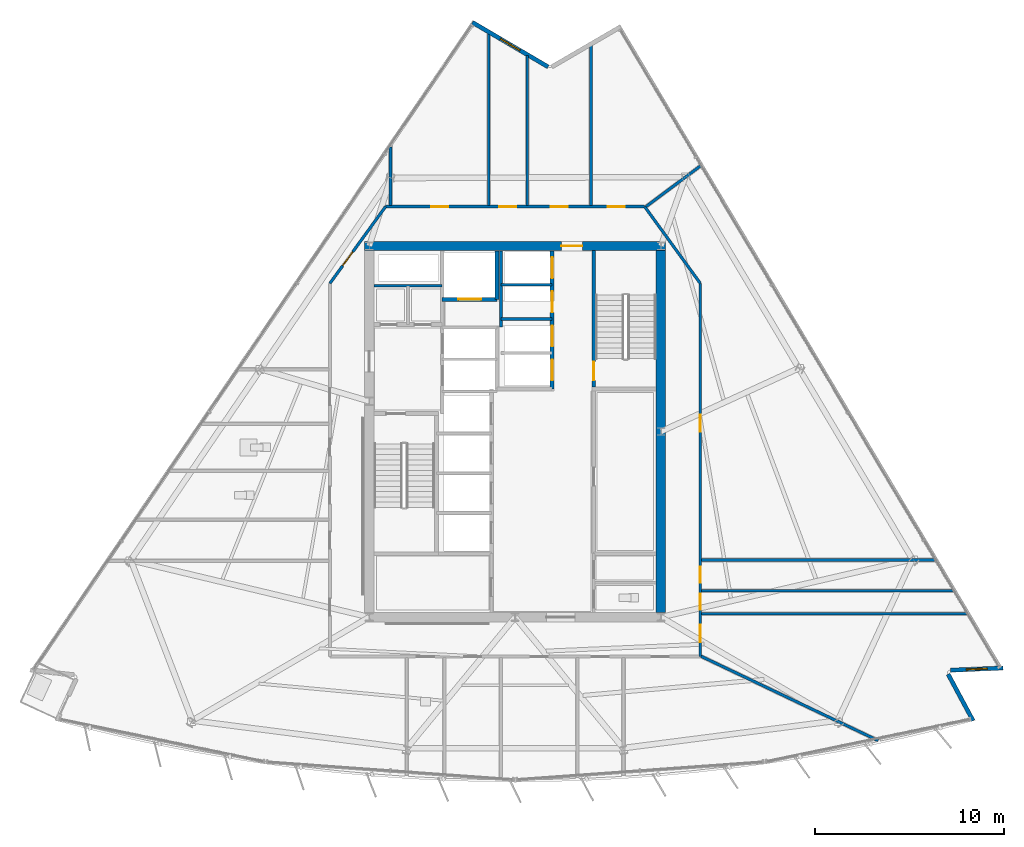
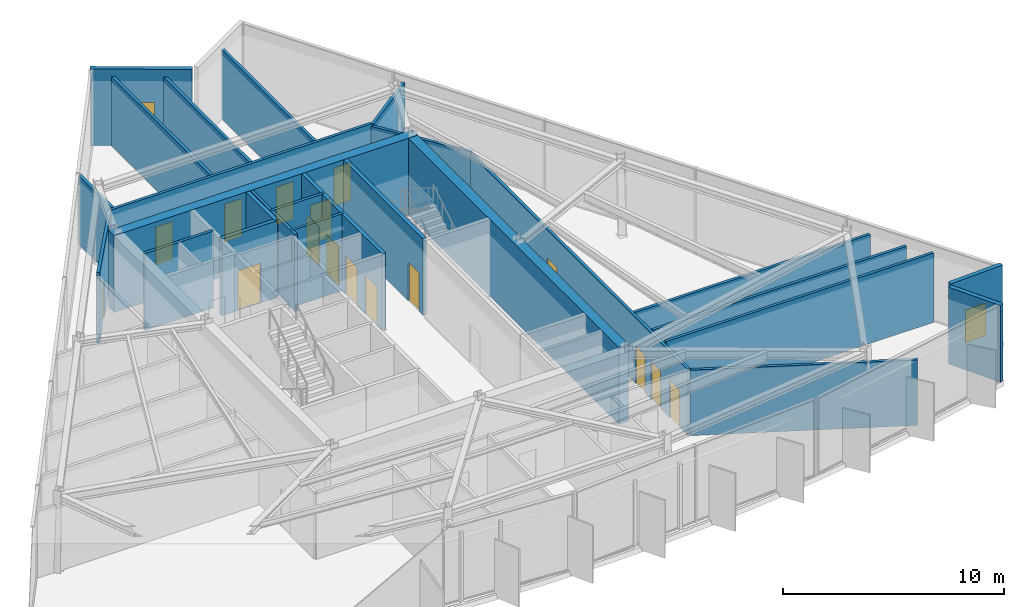
# One storey, part 8 of 13: 26 walls, 16 doors, 2 windows, 18 openings.
"""IFC4 building model written with IfcOpenShell, lengths in metres."""

from ifc_helpers import new_model, si_unit, direction, frame, frame_2d, origin, place, context, subcontext, project, spatial, rectangle, extrude, material, layer, layer_set, type_object, element, fill, save


model = new_model("IFC4")

# Units and contexts
model_context = context("Model", 3, precision=1e-05, world=origin(), true_north=direction((0.0, 1.0)))
body_context = subcontext(model_context, "Body", "Model", "MODEL_VIEW")
ifc_project = project(units=[si_unit("LENGTHUNIT", "METRE"), si_unit("AREAUNIT", "SQUARE_METRE"), si_unit("VOLUMEUNIT", "CUBIC_METRE"), si_unit("PLANEANGLEUNIT", "RADIAN"), si_unit("MASSUNIT", "GRAM", prefix="KILO")], contexts=[model_context])

# Site, building, storey
site_placement = place(None, origin())
site = spatial("IfcSite", under=ifc_project, at=site_placement, CompositionType="ELEMENT")
building_placement = place(site_placement, origin())
building = spatial("IfcBuilding", under=site, at=building_placement, Name="Savorim Split Tower", CompositionType="ELEMENT")
storey_placement = place(building_placement, frame((0.0, 0.0, 190.199951171875)))
storey = spatial("IfcBuildingStorey", under=building, at=storey_placement, Name="L50", CompositionType="ELEMENT", Elevation=190.199951171875)

# Wall, opening, door
ifc_material_1 = material(Name="Concrete C60/75", Category="concrete")
ifc_layer_1 = layer(ifc_material_1, 0.5)
ifc_layer_set_1 = layer_set([ifc_layer_1], Name="WAL-COR-SH500")
wall_type_1 = type_object("IfcWallType", Name="WAL-COR-SH500", PredefinedType="SHEAR", material=ifc_layer_set_1)
wall_1_placement = place(storey_placement, frame((7.949951171875, 10.199951171875, 0.0), z_axis=(0.0, 0.0, 1.0), x_axis=(-1.0, 0.0, 0.0)))
wall_1 = element("IfcWall", 1, at=wall_1_placement, inside=storey, type_object=wall_type_1, Name="L50 Offset Core North Shear Wall", PredefinedType="SHEAR", context=body_context, shape_type="SweptSolid", body=[
    extrude(rectangle(XDim=15.89990234375, YDim=0.5, at=frame_2d((7.949951171875, 0.0))), origin(), (0.0, 0.0, 1.0), 4.25),
])
opening_1_placement = place(wall_1_placement, frame((4.39990234375, 0.0, 0.0)))
opening_1 = element("IfcOpeningElement", 2, at=opening_1_placement, cuts=wall_1, Name="Opening DI-03", PredefinedType="OPENING", context=body_context, shape_type="SweptSolid", body=[
    extrude(rectangle(XDim=1.10009765625, YDim=2.14990234375, at=frame_2d((0.550048828125, 1.074951171875))), frame((0.0, 0.260009765625, 0.0), z_axis=(0.0, -1.0, 0.0), x_axis=(1.0, 0.0, 0.0)), (0.0, 0.0, 1.0), 0.52001953125),
])
ifc_material_2 = material(Name="Timber Fire Door Leaf", Category="wood")
door_type_1 = type_object("IfcDoorType", Name="DOR-FIR-1100", OperationType="NOTDEFINED", PredefinedType="DOOR", material=ifc_material_2)
door_1_placement = place(opening_1_placement, origin())
door_1 = element("IfcDoor", 3, at=door_1_placement, inside=storey, type_object=door_type_1, Name="DOR-L50-COR-NLOB - L50 North Corridor Lobby Fire Door", OperationType="SINGLE_SWING_LEFT", OverallHeight=2.14990234375, OverallWidth=1.10009765625, PredefinedType="DOOR", context=body_context, shape_type="SweptSolid", body=[
    extrude(rectangle(XDim=1.10009765625, YDim=2.14990234375, at=frame_2d((0.550048828125, 1.074951171875))), frame((0.0, 0.02490234375, 0.0), z_axis=(0.0, -1.0, 0.0), x_axis=(1.0, 0.0, 0.0)), (0.0, 0.0, 1.0), 0.050048828125),
])
fill(opening_1, door_1)

# Walls
wall_2_placement = place(storey_placement, frame((7.699951171875, 9.949951171875, 0.0), z_axis=(0.0, 0.0, 1.0), x_axis=(0.0, -1.0, 0.0)))
element("IfcWall", 4, at=wall_2_placement, inside=storey, type_object=wall_type_1, Name="L50 Offset Core East Shear Wall", PredefinedType="SHEAR", context=body_context, shape_type="SweptSolid", body=[
    extrude(rectangle(XDim=19.099853515625, YDim=0.5, at=frame_2d((9.5498046875, 0.0))), origin(), (0.0, 0.0, 1.0), 4.25),
])
ifc_material_3 = material(Name="Precast concrete C40/50", Category="concrete")
ifc_layer_2 = layer(ifc_material_3, 0.219970703125)
ifc_layer_set_2 = layer_set([ifc_layer_2], Name="WAL-EXT-CRN220")
wall_type_2 = type_object("IfcWallType", Name="WAL-EXT-CRN220", PredefinedType="SOLIDWALL", material=ifc_layer_set_2)
wall_3_placement = place(storey_placement, frame((22.86767578125, -12.414794921875, 0.0), z_axis=(0.0, 0.0, 1.0), x_axis=(0.472845900162, -0.881145138272, 0.0)))
element("IfcWall", 5, at=wall_3_placement, inside=storey, type_object=wall_type_2, Name="L50 Notched Corner Facade Wall SE1", PredefinedType="SOLIDWALL", context=body_context, shape_type="SweptSolid", body=[
    extrude(rectangle(XDim=2.78759765625, YDim=0.219970703125, at=frame_2d((1.393798828125, 0.0))), origin(), (0.0, 0.0, 1.0), 4.25),
])

# Wall, opening, window
wall_4_placement = place(storey_placement, frame((25.77197265625, -12.082763671875, 0.0), z_axis=(0.0, 0.0, 1.0), x_axis=(-0.999095761456, -0.042516578425, 0.0)))
wall_4 = element("IfcWall", 6, at=wall_4_placement, inside=storey, type_object=wall_type_2, Name="L50 Notched Corner Facade Wall SE", PredefinedType="SOLIDWALL", context=body_context, shape_type="SweptSolid", body=[
    extrude(rectangle(XDim=2.784912109375, YDim=0.219970703125, at=frame_2d((1.392578125, 0.0))), origin(), (0.0, 0.0, 1.0), 4.25),
])
opening_2_placement = place(wall_4_placement, frame((0.842529296875, 0.0, 0.6201171875)))
opening_2 = element("IfcOpeningElement", 7, at=opening_2_placement, cuts=wall_4, Name="Opening WN-09", PredefinedType="OPENING", context=body_context, shape_type="SweptSolid", body=[
    extrude(rectangle(XDim=1.10009765625, YDim=1.800048828125, at=frame_2d((0.550048828125, 0.89990234375))), frame((0.0, 0.119873046875, 0.0), z_axis=(0.0, -1.0, 0.0), x_axis=(1.0, 0.0, 0.0)), (0.0, 0.0, 1.0), 0.239990234375),
])
ifc_material_4 = material(Name="Low-E Operable Double Glazing", Category="glass")
window_type_1 = type_object("IfcWindowType", Name="WIN-TWR-1100x1800", PartitioningType="SINGLE_PANEL", PredefinedType="WINDOW", material=ifc_material_4)
window_1_placement = place(opening_2_placement, origin())
window_1 = element("IfcWindow", 8, at=window_1_placement, inside=storey, type_object=window_type_1, Name="L50 Operable Corner Window SE", OverallHeight=1.800048828125, OverallWidth=1.10009765625, PartitioningType="SINGLE_PANEL", PredefinedType="WINDOW", context=body_context, shape_type="SweptSolid", body=[
    extrude(rectangle(XDim=1.10009765625, YDim=1.800048828125, at=frame_2d((0.550048828125, 0.89990234375))), frame((0.0, 0.030029296875, 0.0), z_axis=(0.0, -1.0, 0.0), x_axis=(1.0, 0.0, 0.0)), (0.0, 0.0, 1.0), 0.06005859375),
])
fill(opening_2, window_1)

wall_5_placement = place(storey_placement, frame((-2.25927734375, 22.01025390625, 0.0), z_axis=(0.0, 0.0, 1.0), x_axis=(0.862123324624, -0.506698503193, 0.0)))
wall_5 = element("IfcWall", 9, at=wall_5_placement, inside=storey, type_object=wall_type_2, Name="L50 Notched Corner Facade Wall N", PredefinedType="SOLIDWALL", context=body_context, shape_type="SweptSolid", body=[
    extrude(rectangle(XDim=4.644775390625, YDim=0.219970703125, at=frame_2d((2.322265625, 0.0))), origin(), (0.0, 0.0, 1.0), 4.25),
])
opening_3_placement = place(wall_5_placement, frame((1.722412109375, 0.0, 0.6201171875)))
opening_3 = element("IfcOpeningElement", 10, at=opening_3_placement, cuts=wall_5, Name="Opening WN-08", PredefinedType="OPENING", context=body_context, shape_type="SweptSolid", body=[
    extrude(rectangle(XDim=1.199951171875, YDim=1.800048828125, at=frame_2d((0.60009765625, 0.89990234375))), frame((0.0, 0.119873046875, 0.0), z_axis=(0.0, -1.0, 0.0), x_axis=(1.0, 0.0, 0.0)), (0.0, 0.0, 1.0), 0.239990234375),
])
window_type_2 = type_object("IfcWindowType", Name="WIN-TWR-1200x1800", PartitioningType="SINGLE_PANEL", PredefinedType="WINDOW", material=ifc_material_4)
window_2_placement = place(opening_3_placement, origin())
window_2 = element("IfcWindow", 11, at=window_2_placement, inside=storey, type_object=window_type_2, Name="L50 Operable Corner Window N", OverallHeight=1.800048828125, OverallWidth=1.199951171875, PartitioningType="SINGLE_PANEL", PredefinedType="WINDOW", context=body_context, shape_type="SweptSolid", body=[
    extrude(rectangle(XDim=1.199951171875, YDim=1.800048828125, at=frame_2d((0.60009765625, 0.89990234375))), frame((0.0, 0.030029296875, 0.0), z_axis=(0.0, -1.0, 0.0), x_axis=(1.0, 0.0, 0.0)), (0.0, 0.0, 1.0), 0.06005859375),
])
fill(opening_3, window_2)

# Wall, opening, door
ifc_material_5 = material(Name="Concrete C50/60", Category="concrete")
ifc_layer_3 = layer(ifc_material_5, 0.199951171875)
ifc_layer_set_3 = layer_set([ifc_layer_3], Name="WAL-INT-RC200")
wall_type_3 = type_object("IfcWallType", Name="WAL-INT-RC200", PredefinedType="SOLIDWALL", material=ifc_layer_set_3)
wall_6_placement = place(storey_placement, frame((4.14990234375, 2.75, 0.0), z_axis=(0.0, 0.0, 1.0), x_axis=(0.0, 1.0, 0.0)))
wall_6 = element("IfcWall", 12, at=wall_6_placement, inside=storey, type_object=wall_type_3, Name="L50 Structural Shaft Wall W-L50-CR07", PredefinedType="SOLIDWALL", context=body_context, shape_type="SweptSolid", body=[
    extrude(rectangle(XDim=7.199951171875, YDim=0.199951171875, at=frame_2d((3.60009765625, 0.0))), origin(), (0.0, 0.0, 1.0), 4.25),
])
opening_4_placement = place(wall_6_placement, frame((0.35009765625, 0.0, 0.0)))
opening_4 = element("IfcOpeningElement", 13, at=opening_4_placement, cuts=wall_6, Name="Opening DI-04", PredefinedType="OPENING", context=body_context, shape_type="SweptSolid", body=[
    extrude(rectangle(XDim=1.0, YDim=2.14990234375, at=frame_2d((0.5, 1.074951171875))), frame((0.0, 0.10986328125, 0.0), z_axis=(0.0, -1.0, 0.0), x_axis=(1.0, 0.0, 0.0)), (0.0, 0.0, 1.0), 0.219970703125),
])
door_type_2 = type_object("IfcDoorType", Name="DOR-FIR-1000", OperationType="NOTDEFINED", PredefinedType="DOOR", material=ifc_material_2)
door_2_placement = place(opening_4_placement, origin())
door_2 = element("IfcDoor", 14, at=door_2_placement, inside=storey, type_object=door_type_2, Name="DR-L50-ST2 - L50 Stair ST-2 Enclosure Door", OperationType="SINGLE_SWING_RIGHT", OverallHeight=2.14990234375, OverallWidth=1.0, PredefinedType="DOOR", context=body_context, shape_type="SweptSolid", body=[
    extrude(rectangle(XDim=1.0, YDim=2.14990234375, at=frame_2d((0.5, 1.074951171875))), frame((0.0, 0.02490234375, 0.0), z_axis=(0.0, -1.0, 0.0), x_axis=(1.0, 0.0, 0.0)), (0.0, 0.0, 1.0), 0.050048828125),
])
fill(opening_4, door_2)

wall_7_placement = place(storey_placement, frame((-3.85009765625, 7.3798828125, 0.0), z_axis=(0.0, 0.0, 1.0), x_axis=(1.0, 0.0, 0.0)))
wall_7 = element("IfcWall", 15, at=wall_7_placement, inside=storey, type_object=wall_type_3, Name="L50 Partition W-L50-SVLS", PredefinedType="SOLIDWALL", context=body_context, shape_type="SweptSolid", body=[
    extrude(rectangle(XDim=2.900146484375, YDim=0.199951171875, at=frame_2d((1.4501953125, 0.0))), origin(), (0.0, 0.0, 1.0), 4.25),
])
opening_5_placement = place(wall_7_placement, frame((0.85009765625, 0.0, 0.0)))
opening_5 = element("IfcOpeningElement", 16, at=opening_5_placement, cuts=wall_7, Name="Opening LD-SV", PredefinedType="OPENING", context=body_context, shape_type="SweptSolid", body=[
    extrude(rectangle(XDim=1.199951171875, YDim=2.199951171875, at=frame_2d((0.60009765625, 1.10009765625))), frame((0.0, 0.10986328125, 0.0), z_axis=(0.0, -1.0, 0.0), x_axis=(1.0, 0.0, 0.0)), (0.0, 0.0, 1.0), 0.219970703125),
])
ifc_material_6 = material(Name="Charcoal Anodised Aluminium", Category="aluminium")
door_type_3 = type_object("IfcDoorType", Name="DOR-SLD-SV1200", OperationType="NOTDEFINED", PredefinedType="DOOR", material=ifc_material_6)
door_3_placement = place(opening_5_placement, origin())
door_3 = element("IfcDoor", 17, at=door_3_placement, inside=storey, type_object=door_type_3, Name="DR-L50-LD-SVL1 - L50 Service Lift SVL-1 Sliding Landing Door", OperationType="DOUBLE_DOOR_SLIDING", OverallHeight=2.199951171875, OverallWidth=1.199951171875, PredefinedType="DOOR", context=body_context, shape_type="SweptSolid", body=[
    extrude(rectangle(XDim=1.199951171875, YDim=2.199951171875, at=frame_2d((0.60009765625, 1.10009765625))), frame((0.0, 0.02490234375, 0.0), z_axis=(0.0, -1.0, 0.0), x_axis=(1.0, 0.0, 0.0)), (0.0, 0.0, 1.0), 0.050048828125),
])
fill(opening_5, door_3)

# Wall
wall_8_placement = place(storey_placement, frame((-0.949951171875, 7.3798828125, 0.0), z_axis=(0.0, 0.0, 1.0), x_axis=(0.0, 1.0, 0.0)))
element("IfcWall", 18, at=wall_8_placement, inside=storey, type_object=wall_type_3, Name="L50 Partition W-L50-SVLE", PredefinedType="SOLIDWALL", context=body_context, shape_type="SweptSolid", body=[
    extrude(rectangle(XDim=2.565185546875, YDim=0.199951171875, at=frame_2d((1.28271484375, 0.0))), origin(), (0.0, 0.0, 1.0), 4.25),
])

# Wall, openings, doors
wall_9_placement = place(storey_placement, frame((1.949951171875, 2.64990234375, 0.0), z_axis=(0.0, 0.0, 1.0), x_axis=(0.0, 1.0, 0.0)))
wall_9 = element("IfcWall", 19, at=wall_9_placement, inside=storey, type_object=wall_type_3, Name="L50 Partition W-L50-B3FRONT", PredefinedType="SOLIDWALL", context=body_context, shape_type="SweptSolid", body=[
    extrude(rectangle(XDim=7.295166015625, YDim=0.199951171875, at=frame_2d((3.6474609375, 0.0))), origin(), (0.0, 0.0, 1.0), 4.25),
])
opening_6_placement = place(wall_9_placement, frame((0.449951171875, 0.0, 0.0)))
opening_6 = element("IfcOpeningElement", 20, at=opening_6_placement, cuts=wall_9, Name="Opening LD-03", PredefinedType="OPENING", context=body_context, shape_type="SweptSolid", body=[
    extrude(rectangle(XDim=1.10009765625, YDim=2.14990234375, at=frame_2d((0.550048828125, 1.074951171875))), frame((0.0, 0.10986328125, 0.0), z_axis=(0.0, -1.0, 0.0), x_axis=(1.0, 0.0, 0.0)), (0.0, 0.0, 1.0), 0.219970703125),
])
opening_7_placement = place(wall_9_placement, frame((2.25, 0.0, 0.0)))
opening_7 = element("IfcOpeningElement", 21, at=opening_7_placement, cuts=wall_9, Name="Opening LD-03", PredefinedType="OPENING", context=body_context, shape_type="SweptSolid", body=[
    extrude(rectangle(XDim=1.10009765625, YDim=2.14990234375, at=frame_2d((0.550048828125, 1.074951171875))), frame((0.0, 0.10986328125, 0.0), z_axis=(0.0, -1.0, 0.0), x_axis=(1.0, 0.0, 0.0)), (0.0, 0.0, 1.0), 0.219970703125),
])
opening_8_placement = place(wall_9_placement, frame((4.050048828125, 0.0, 0.0)))
opening_8 = element("IfcOpeningElement", 22, at=opening_8_placement, cuts=wall_9, Name="Opening LD-03", PredefinedType="OPENING", context=body_context, shape_type="SweptSolid", body=[
    extrude(rectangle(XDim=1.10009765625, YDim=2.14990234375, at=frame_2d((0.550048828125, 1.074951171875))), frame((0.0, 0.10986328125, 0.0), z_axis=(0.0, -1.0, 0.0), x_axis=(1.0, 0.0, 0.0)), (0.0, 0.0, 1.0), 0.219970703125),
])
opening_9_placement = place(wall_9_placement, frame((5.85009765625, 0.0, 0.0)))
opening_9 = element("IfcOpeningElement", 23, at=opening_9_placement, cuts=wall_9, Name="Opening LD-03", PredefinedType="OPENING", context=body_context, shape_type="SweptSolid", body=[
    extrude(rectangle(XDim=1.10009765625, YDim=2.14990234375, at=frame_2d((0.550048828125, 1.074951171875))), frame((0.0, 0.10986328125, 0.0), z_axis=(0.0, -1.0, 0.0), x_axis=(1.0, 0.0, 0.0)), (0.0, 0.0, 1.0), 0.219970703125),
])
door_type_4 = type_object("IfcDoorType", Name="DOR-SLD-LDH1100", OperationType="NOTDEFINED", PredefinedType="DOOR", material=ifc_material_6)
door_4_placement = place(opening_6_placement, origin())
door_4 = element("IfcDoor", 24, at=door_4_placement, inside=storey, type_object=door_type_4, Name="DR-L50-LD-PLH1 - L50 Lift PL-H1 Sliding Landing Door", OperationType="DOUBLE_DOOR_SLIDING", OverallHeight=2.14990234375, OverallWidth=1.10009765625, PredefinedType="DOOR", context=body_context, shape_type="SweptSolid", body=[
    extrude(rectangle(XDim=1.10009765625, YDim=2.14990234375, at=frame_2d((0.550048828125, 1.074951171875))), frame((0.0, 0.02490234375, 0.0), z_axis=(0.0, -1.0, 0.0), x_axis=(1.0, 0.0, 0.0)), (0.0, 0.0, 1.0), 0.050048828125),
])
fill(opening_6, door_4)
door_5_placement = place(opening_7_placement, origin())
door_5 = element("IfcDoor", 25, at=door_5_placement, inside=storey, type_object=door_type_4, Name="DR-L50-LD-PLH2 - L50 Lift PL-H2 Sliding Landing Door", OperationType="DOUBLE_DOOR_SLIDING", OverallHeight=2.14990234375, OverallWidth=1.10009765625, PredefinedType="DOOR", context=body_context, shape_type="SweptSolid", body=[
    extrude(rectangle(XDim=1.10009765625, YDim=2.14990234375, at=frame_2d((0.550048828125, 1.074951171875))), frame((0.0, 0.02490234375, 0.0), z_axis=(0.0, -1.0, 0.0), x_axis=(1.0, 0.0, 0.0)), (0.0, 0.0, 1.0), 0.050048828125),
])
fill(opening_7, door_5)
door_6_placement = place(opening_8_placement, origin())
door_6 = element("IfcDoor", 26, at=door_6_placement, inside=storey, type_object=door_type_4, Name="DR-L50-LD-PLH3 - L50 Lift PL-H3 Sliding Landing Door", OperationType="DOUBLE_DOOR_SLIDING", OverallHeight=2.14990234375, OverallWidth=1.10009765625, PredefinedType="DOOR", context=body_context, shape_type="SweptSolid", body=[
    extrude(rectangle(XDim=1.10009765625, YDim=2.14990234375, at=frame_2d((0.550048828125, 1.074951171875))), frame((0.0, 0.02490234375, 0.0), z_axis=(0.0, -1.0, 0.0), x_axis=(1.0, 0.0, 0.0)), (0.0, 0.0, 1.0), 0.050048828125),
])
fill(opening_8, door_6)
door_7_placement = place(opening_9_placement, origin())
door_7 = element("IfcDoor", 27, at=door_7_placement, inside=storey, type_object=door_type_4, Name="DR-L50-LD-PLH4 - L50 Lift PL-H4 Sliding Landing Door", OperationType="DOUBLE_DOOR_SLIDING", OverallHeight=2.14990234375, OverallWidth=1.10009765625, PredefinedType="DOOR", context=body_context, shape_type="SweptSolid", body=[
    extrude(rectangle(XDim=1.10009765625, YDim=2.14990234375, at=frame_2d((0.550048828125, 1.074951171875))), frame((0.0, 0.02490234375, 0.0), z_axis=(0.0, -1.0, 0.0), x_axis=(1.0, 0.0, 0.0)), (0.0, 0.0, 1.0), 0.050048828125),
])
fill(opening_9, door_7)

# Walls
ifc_material_7 = material(Name="Acoustic Gypsum Partition Board")
ifc_layer_4 = layer(ifc_material_7, 0.14990234375)
ifc_layer_set_4 = layer_set([ifc_layer_4], Name="WAL-PAR-150")
wall_type_4 = type_object("IfcWallType", Name="WAL-PAR-150", PredefinedType="PARTITIONING", material=ifc_layer_set_4)
wall_10_placement = place(storey_placement, frame((-7.445068359375, 8.10009765625, 0.0), z_axis=(0.0, 0.0, 1.0), x_axis=(1.0, 0.0, 0.0)))
element("IfcWall", 28, at=wall_10_placement, inside=storey, type_object=wall_type_4, Name="L50 Partition W-L50-CR05", PredefinedType="PARTITIONING", context=body_context, shape_type="SweptSolid", body=[
    extrude(rectangle(XDim=3.594970703125, YDim=0.14990234375, at=frame_2d((1.79736328125, 0.0))), origin(), (0.0, 0.0, 1.0), 4.25),
])
wall_11_placement = place(storey_placement, frame((-0.75, 5.919921875, 0.0), z_axis=(0.0, 0.0, 1.0), x_axis=(0.0, 1.0, 0.0)))
element("IfcWall", 29, at=wall_11_placement, inside=storey, type_object=wall_type_4, Name="L50 Partition W-L50-B3WEST", PredefinedType="PARTITIONING", context=body_context, shape_type="SweptSolid", body=[
    extrude(rectangle(XDim=4.025146484375, YDim=0.14990234375, at=frame_2d((2.0126953125, 0.0))), origin(), (0.0, 0.0, 1.0), 4.25),
])
for number, where, z_axis, x_axis, name in (
    (30, (-0.75, 6.35009765625, 0.0), (0.0, 0.0, 1.0), (1.0, 0.0, 0.0), "L50 Partition W-L50-B3DIV2"),
    (31, (-0.75, 8.14990234375, 0.0), (0.0, 0.0, 1.0), (1.0, 0.0, 0.0), "L50 Partition W-L50-B3DIV3"),
):
    element("IfcWall", number, at=place(storey_placement, frame(where, z_axis=z_axis, x_axis=x_axis)), inside=storey, type_object=wall_type_4, Name=name, PredefinedType="PARTITIONING", context=body_context, shape_type="SweptSolid", body=[
        extrude(rectangle(XDim=2.699951171875, YDim=0.14990234375, at=frame_2d((1.35009765625, 0.0))), origin(), (0.0, 0.0, 1.0), 4.25),
    ])

# Wall, opening, door
wall_12_placement = place(storey_placement, frame((-9.780029296875, 8.225830078125, 0.0), z_axis=(0.0, 0.0, 1.0), x_axis=(0.586956386413, 0.809618552436, 0.0)))
wall_12 = element("IfcWall", 32, at=wall_12_placement, inside=storey, type_object=wall_type_4, Name="L50 Partition W-L50-COR-02", PredefinedType="PARTITIONING", context=body_context, shape_type="SweptSolid", body=[
    extrude(rectangle(XDim=5.007568359375, YDim=0.14990234375, at=frame_2d((2.50390625, 0.0))), origin(), (0.0, 0.0, 1.0), 3.905029296875),
])
opening_10_placement = place(wall_12_placement, frame((1.15380859375, 0.0, 0.0)))
opening_10 = element("IfcOpeningElement", 33, at=opening_10_placement, cuts=wall_12, Name="Opening DI-06", PredefinedType="OPENING", context=body_context, shape_type="SweptSolid", body=[
    extrude(rectangle(XDim=0.89990234375, YDim=2.10009765625, at=frame_2d((0.449951171875, 1.050048828125))), frame((0.0, 0.0849609375, 0.0), z_axis=(0.0, -1.0, 0.0), x_axis=(1.0, 0.0, 0.0)), (0.0, 0.0, 1.0), 0.169921875),
])
door_type_5 = type_object("IfcDoorType", Name="DOR-FIR-900", OperationType="NOTDEFINED", PredefinedType="DOOR", material=ifc_material_2)
door_8_placement = place(opening_10_placement, origin())
door_8 = element("IfcDoor", 34, at=door_8_placement, inside=storey, type_object=door_type_5, Name="DR-L50-RM18 - L50 Quiet Study Room Entry Door", OperationType="SINGLE_SWING_LEFT", OverallHeight=2.10009765625, OverallWidth=0.89990234375, PredefinedType="DOOR", context=body_context, shape_type="SweptSolid", body=[
    extrude(rectangle(XDim=0.89990234375, YDim=2.10009765625, at=frame_2d((0.449951171875, 1.050048828125))), frame((0.0, 0.02490234375, 0.0), z_axis=(0.0, -1.0, 0.0), x_axis=(1.0, 0.0, 0.0)), (0.0, 0.0, 1.0), 0.050048828125),
])
fill(opening_10, door_8)

# Wall, openings, doors
wall_13_placement = place(storey_placement, frame((-6.8408203125, 12.280029296875, 0.0), z_axis=(0.0, 0.0, 1.0), x_axis=(1.0, 0.0, 0.0)))
wall_13 = element("IfcWall", 35, at=wall_13_placement, inside=storey, type_object=wall_type_4, Name="L50 Partition W-L50-COR-03", PredefinedType="PARTITIONING", context=body_context, shape_type="SweptSolid", body=[
    extrude(rectangle(XDim=13.681640625, YDim=0.14990234375, at=frame_2d((6.8408203125, 0.0))), origin(), (0.0, 0.0, 1.0), 3.905029296875),
])
opening_11_placement = place(wall_13_placement, frame((11.722900390625, 0.0, 0.0)))
opening_11 = element("IfcOpeningElement", 36, at=opening_11_placement, cuts=wall_13, Name="Opening DI-06", PredefinedType="OPENING", context=body_context, shape_type="SweptSolid", body=[
    extrude(rectangle(XDim=0.89990234375, YDim=2.10009765625, at=frame_2d((0.449951171875, 1.050048828125))), frame((0.0, 0.0849609375, 0.0), z_axis=(0.0, -1.0, 0.0), x_axis=(1.0, 0.0, 0.0)), (0.0, 0.0, 1.0), 0.169921875),
])
opening_12_placement = place(wall_13_placement, frame((8.71240234375, 0.0, 0.0)))
opening_12 = element("IfcOpeningElement", 37, at=opening_12_placement, cuts=wall_13, Name="Opening DI-06", PredefinedType="OPENING", context=body_context, shape_type="SweptSolid", body=[
    extrude(rectangle(XDim=0.89990234375, YDim=2.10009765625, at=frame_2d((0.449951171875, 1.050048828125))), frame((0.0, 0.0849609375, 0.0), z_axis=(0.0, -1.0, 0.0), x_axis=(1.0, 0.0, 0.0)), (0.0, 0.0, 1.0), 0.169921875),
])
opening_13_placement = place(wall_13_placement, frame((6.01416015625, 0.0, 0.0)))
opening_13 = element("IfcOpeningElement", 38, at=opening_13_placement, cuts=wall_13, Name="Opening DI-06", PredefinedType="OPENING", context=body_context, shape_type="SweptSolid", body=[
    extrude(rectangle(XDim=0.89990234375, YDim=2.10009765625, at=frame_2d((0.449951171875, 1.050048828125))), frame((0.0, 0.0849609375, 0.0), z_axis=(0.0, -1.0, 0.0), x_axis=(1.0, 0.0, 0.0)), (0.0, 0.0, 1.0), 0.169921875),
])
opening_14_placement = place(wall_13_placement, frame((2.402587890625, 0.0, 0.0)))
opening_14 = element("IfcOpeningElement", 39, at=opening_14_placement, cuts=wall_13, Name="Opening DI-06", PredefinedType="OPENING", context=body_context, shape_type="SweptSolid", body=[
    extrude(rectangle(XDim=0.89990234375, YDim=2.10009765625, at=frame_2d((0.449951171875, 1.050048828125))), frame((0.0, 0.0849609375, 0.0), z_axis=(0.0, -1.0, 0.0), x_axis=(1.0, 0.0, 0.0)), (0.0, 0.0, 1.0), 0.169921875),
])
door_9_placement = place(opening_11_placement, origin())
door_9 = element("IfcDoor", 40, at=door_9_placement, inside=storey, type_object=door_type_5, Name="DR-L50-RM14 - L50 Quiet Study Room Entry Door", OperationType="SINGLE_SWING_LEFT", OverallHeight=2.10009765625, OverallWidth=0.89990234375, PredefinedType="DOOR", context=body_context, shape_type="SweptSolid", body=[
    extrude(rectangle(XDim=0.89990234375, YDim=2.10009765625, at=frame_2d((0.449951171875, 1.050048828125))), frame((0.0, 0.02490234375, 0.0), z_axis=(0.0, -1.0, 0.0), x_axis=(1.0, 0.0, 0.0)), (0.0, 0.0, 1.0), 0.050048828125),
])
fill(opening_11, door_9)
door_10_placement = place(opening_12_placement, origin())
door_10 = element("IfcDoor", 41, at=door_10_placement, inside=storey, type_object=door_type_5, Name="DR-L50-RM15 - L50 Co-Working Commons Entry Door", OperationType="SINGLE_SWING_RIGHT", OverallHeight=2.10009765625, OverallWidth=0.89990234375, PredefinedType="DOOR", context=body_context, shape_type="SweptSolid", body=[
    extrude(rectangle(XDim=0.89990234375, YDim=2.10009765625, at=frame_2d((0.449951171875, 1.050048828125))), frame((0.0, 0.02490234375, 0.0), z_axis=(0.0, -1.0, 0.0), x_axis=(1.0, 0.0, 0.0)), (0.0, 0.0, 1.0), 0.050048828125),
])
fill(opening_12, door_10)
door_11_placement = place(opening_13_placement, origin())
door_11 = element("IfcDoor", 42, at=door_11_placement, inside=storey, type_object=door_type_5, Name="DR-L50-RM16 - L50 Quiet Study Room Entry Door", OperationType="SINGLE_SWING_LEFT", OverallHeight=2.10009765625, OverallWidth=0.89990234375, PredefinedType="DOOR", context=body_context, shape_type="SweptSolid", body=[
    extrude(rectangle(XDim=0.89990234375, YDim=2.10009765625, at=frame_2d((0.449951171875, 1.050048828125))), frame((0.0, 0.02490234375, 0.0), z_axis=(0.0, -1.0, 0.0), x_axis=(1.0, 0.0, 0.0)), (0.0, 0.0, 1.0), 0.050048828125),
])
fill(opening_13, door_11)
door_12_placement = place(opening_14_placement, origin())
door_12 = element("IfcDoor", 43, at=door_12_placement, inside=storey, type_object=door_type_5, Name="DR-L50-RM17 - L50 Co-Working Commons Entry Door", OperationType="SINGLE_SWING_RIGHT", OverallHeight=2.10009765625, OverallWidth=0.89990234375, PredefinedType="DOOR", context=body_context, shape_type="SweptSolid", body=[
    extrude(rectangle(XDim=0.89990234375, YDim=2.10009765625, at=frame_2d((0.449951171875, 1.050048828125))), frame((0.0, 0.02490234375, 0.0), z_axis=(0.0, -1.0, 0.0), x_axis=(1.0, 0.0, 0.0)), (0.0, 0.0, 1.0), 0.050048828125),
])
fill(opening_14, door_12)

# Wall
wall_14_placement = place(storey_placement, frame((6.8408203125, 12.280029296875, 0.0), z_axis=(0.0, 0.0, 1.0), x_axis=(0.586956386413, -0.809618552436, 0.0)))
element("IfcWall", 44, at=wall_14_placement, inside=storey, type_object=wall_type_4, Name="L50 Partition W-L50-COR-04", PredefinedType="PARTITIONING", context=body_context, shape_type="SweptSolid", body=[
    extrude(rectangle(XDim=5.007568359375, YDim=0.14990234375, at=frame_2d((2.50390625, 0.0))), origin(), (0.0, 0.0, 1.0), 3.775146484375),
])

# Wall, openings, doors
wall_15_placement = place(storey_placement, frame((9.780029296875, 8.225830078125, 0.0), z_axis=(0.0, 0.0, 1.0), x_axis=(0.0, -1.0, 0.0)))
wall_15 = element("IfcWall", 45, at=wall_15_placement, inside=storey, type_object=wall_type_4, Name="L50 Partition W-L50-COR-05", PredefinedType="PARTITIONING", context=body_context, shape_type="SweptSolid", body=[
    extrude(rectangle(XDim=19.705810546875, YDim=0.14990234375, at=frame_2d((9.85302734375, 0.0))), origin(), (0.0, 0.0, 1.0), 3.675048828125),
])
opening_15_placement = place(wall_15_placement, frame((18.037841796875, 0.0, 0.0)))
opening_15 = element("IfcOpeningElement", 46, at=opening_15_placement, cuts=wall_15, Name="Opening DI-06", PredefinedType="OPENING", context=body_context, shape_type="SweptSolid", body=[
    extrude(rectangle(XDim=0.89990234375, YDim=2.10009765625, at=frame_2d((0.449951171875, 1.050048828125))), frame((0.0, 0.0849609375, 0.0), z_axis=(0.0, -1.0, 0.0), x_axis=(1.0, 0.0, 0.0)), (0.0, 0.0, 1.0), 0.169921875),
])
opening_16_placement = place(wall_15_placement, frame((16.3876953125, 0.0, 0.0)))
opening_16 = element("IfcOpeningElement", 47, at=opening_16_placement, cuts=wall_15, Name="Opening DI-13", PredefinedType="OPENING", context=body_context, shape_type="SweptSolid", body=[
    extrude(rectangle(XDim=0.85009765625, YDim=2.10009765625, at=frame_2d((0.425048828125, 1.050048828125))), frame((0.0, 0.0849609375, 0.0), z_axis=(0.0, -1.0, 0.0), x_axis=(1.0, 0.0, 0.0)), (0.0, 0.0, 1.0), 0.169921875),
])
opening_17_placement = place(wall_15_placement, frame((14.967041015625, 0.0, 0.0)))
opening_17 = element("IfcOpeningElement", 48, at=opening_17_placement, cuts=wall_15, Name="Opening DI-13", PredefinedType="OPENING", context=body_context, shape_type="SweptSolid", body=[
    extrude(rectangle(XDim=0.85009765625, YDim=2.10009765625, at=frame_2d((0.425048828125, 1.050048828125))), frame((0.0, 0.0849609375, 0.0), z_axis=(0.0, -1.0, 0.0), x_axis=(1.0, 0.0, 0.0)), (0.0, 0.0, 1.0), 0.169921875),
])
opening_18_placement = place(wall_15_placement, frame((6.9423828125, 0.0, 0.0)))
opening_18 = element("IfcOpeningElement", 49, at=opening_18_placement, cuts=wall_15, Name="Opening DI-06", PredefinedType="OPENING", context=body_context, shape_type="SweptSolid", body=[
    extrude(rectangle(XDim=0.89990234375, YDim=2.10009765625, at=frame_2d((0.449951171875, 1.050048828125))), frame((0.0, 0.0849609375, 0.0), z_axis=(0.0, -1.0, 0.0), x_axis=(1.0, 0.0, 0.0)), (0.0, 0.0, 1.0), 0.169921875),
])
door_type_6 = type_object("IfcDoorType", Name="DOR-FIR-850", OperationType="NOTDEFINED", PredefinedType="DOOR", material=ifc_material_2)
door_13_placement = place(opening_16_placement, origin())
door_13 = element("IfcDoor", 50, at=door_13_placement, inside=storey, type_object=door_type_6, Name="DR-L50-RM11 - L50 Co-Working Commons Entry Door", OperationType="SINGLE_SWING_RIGHT", OverallHeight=2.10009765625, OverallWidth=0.85009765625, PredefinedType="DOOR", context=body_context, shape_type="SweptSolid", body=[
    extrude(rectangle(XDim=0.85009765625, YDim=2.10009765625, at=frame_2d((0.425048828125, 1.050048828125))), frame((0.0, 0.02490234375, 0.0), z_axis=(0.0, -1.0, 0.0), x_axis=(1.0, 0.0, 0.0)), (0.0, 0.0, 1.0), 0.050048828125),
])
fill(opening_16, door_13)
door_14_placement = place(opening_17_placement, origin())
door_14 = element("IfcDoor", 51, at=door_14_placement, inside=storey, type_object=door_type_6, Name="DR-L50-RM12 - L50 Quiet Study Room Entry Door", OperationType="SINGLE_SWING_LEFT", OverallHeight=2.10009765625, OverallWidth=0.85009765625, PredefinedType="DOOR", context=body_context, shape_type="SweptSolid", body=[
    extrude(rectangle(XDim=0.85009765625, YDim=2.10009765625, at=frame_2d((0.425048828125, 1.050048828125))), frame((0.0, 0.02490234375, 0.0), z_axis=(0.0, -1.0, 0.0), x_axis=(1.0, 0.0, 0.0)), (0.0, 0.0, 1.0), 0.050048828125),
])
fill(opening_17, door_14)
door_15_placement = place(opening_15_placement, origin())
door_15 = element("IfcDoor", 52, at=door_15_placement, inside=storey, type_object=door_type_5, Name="DR-L50-RM10 - L50 Co-Working Commons Entry Door", OperationType="SINGLE_SWING_LEFT", OverallHeight=2.10009765625, OverallWidth=0.89990234375, PredefinedType="DOOR", context=body_context, shape_type="SweptSolid", body=[
    extrude(rectangle(XDim=0.89990234375, YDim=2.10009765625, at=frame_2d((0.449951171875, 1.050048828125))), frame((0.0, 0.02490234375, 0.0), z_axis=(0.0, -1.0, 0.0), x_axis=(1.0, 0.0, 0.0)), (0.0, 0.0, 1.0), 0.050048828125),
])
fill(opening_15, door_15)
door_16_placement = place(opening_18_placement, origin())
door_16 = element("IfcDoor", 53, at=door_16_placement, inside=storey, type_object=door_type_5, Name="DR-L50-RM13 - L50 Co-Working Commons Entry Door", OperationType="SINGLE_SWING_RIGHT", OverallHeight=2.10009765625, OverallWidth=0.89990234375, PredefinedType="DOOR", context=body_context, shape_type="SweptSolid", body=[
    extrude(rectangle(XDim=0.89990234375, YDim=2.10009765625, at=frame_2d((0.449951171875, 1.050048828125))), frame((0.0, 0.02490234375, 0.0), z_axis=(0.0, -1.0, 0.0), x_axis=(1.0, 0.0, 0.0)), (0.0, 0.0, 1.0), 0.050048828125),
])
fill(opening_18, door_16)

# Walls
wall_16_placement = place(storey_placement, frame((9.822998046875, -11.4658203125, 0.0), z_axis=(0.0, 0.0, 1.0), x_axis=(0.902887106873, -0.42987774104, 0.0)))
element("IfcWall", 54, at=wall_16_placement, inside=storey, type_object=wall_type_4, Name="L50 Partition W-L50-SLR04", PredefinedType="PARTITIONING", context=body_context, shape_type="SweptSolid", body=[
    extrude(rectangle(XDim=10.352783203125, YDim=0.14990234375, at=frame_2d((5.17626953125, 0.0))), origin(), (0.0, 0.0, 1.0), 3.625),
])
wall_17_placement = place(storey_placement, frame((9.840087890625, -6.380859375, 0.0), z_axis=(0.0, 0.0, 1.0), x_axis=(1.0, 0.0, 0.0)))
element("IfcWall", 55, at=wall_17_placement, inside=storey, type_object=wall_type_4, Name="L50 Partition W-L50-SLR05", PredefinedType="PARTITIONING", context=body_context, shape_type="SweptSolid", body=[
    extrude(rectangle(XDim=12.318359375, YDim=0.14990234375, at=frame_2d((6.1591796875, 0.0))), origin(), (0.0, 0.0, 1.0), 3.72509765625),
])
wall_18_placement = place(storey_placement, frame((6.913330078125, 12.281982421875, 0.0), z_axis=(0.0, 0.0, 1.0), x_axis=(0.80143603656, 0.598080495672, 0.0)))
element("IfcWall", 56, at=wall_18_placement, inside=storey, type_object=wall_type_4, Name="L50 Partition W-L50-SLR07", PredefinedType="PARTITIONING", context=body_context, shape_type="SweptSolid", body=[
    extrude(rectangle(XDim=3.5849609375, YDim=0.14990234375, at=frame_2d((1.79248046875, 0.0))), origin(), (0.0, 0.0, 1.0), 3.8349609375),
])
wall_19_placement = place(storey_placement, frame((-6.581787109375, 12.340087890625, 0.0), z_axis=(0.0, 0.0, 1.0), x_axis=(0.0, 1.0, 0.0)))
element("IfcWall", 57, at=wall_19_placement, inside=storey, type_object=wall_type_4, Name="L50 Partition W-L50-SLR08", PredefinedType="PARTITIONING", context=body_context, shape_type="SweptSolid", body=[
    extrude(rectangle(XDim=3.0986328125, YDim=0.14990234375, at=frame_2d((1.54931640625, 0.0))), origin(), (0.0, 0.0, 1.0), 3.8349609375),
])
wall_20_placement = place(storey_placement, frame((9.840087890625, -9.22216796875, 0.0), z_axis=(0.0, 0.0, 1.0), x_axis=(1.0, 0.0, 0.0)))
element("IfcWall", 58, at=wall_20_placement, inside=storey, type_object=wall_type_4, Name="L50 Partition W-L50-SLSUB03", PredefinedType="PARTITIONING", context=body_context, shape_type="SweptSolid", body=[
    extrude(rectangle(XDim=14.0078125, YDim=0.14990234375, at=frame_2d((7.00390625, 0.0))), origin(), (0.0, 0.0, 1.0), 3.8349609375),
])
wall_21_placement = place(storey_placement, frame((0.6416015625, 12.340087890625, 0.0), z_axis=(0.0, 0.0, 1.0), x_axis=(0.0, 1.0, 0.0)))
element("IfcWall", 59, at=wall_21_placement, inside=storey, type_object=wall_type_4, Name="L50 Partition W-L50-SLSUB04", PredefinedType="PARTITIONING", context=body_context, shape_type="SweptSolid", body=[
    extrude(rectangle(XDim=7.9072265625, YDim=0.14990234375, at=frame_2d((3.95361328125, 0.0))), origin(), (0.0, 0.0, 1.0), 3.8349609375),
])
wall_22_placement = place(storey_placement, frame((9.840087890625, -8.00146484375, 0.0), z_axis=(0.0, 0.0, 1.0), x_axis=(1.0, 0.0, 0.0)))
element("IfcWall", 60, at=wall_22_placement, inside=storey, type_object=wall_type_4, Name="L50 Partition W-L50-SLSUB08", PredefinedType="PARTITIONING", context=body_context, shape_type="SweptSolid", body=[
    extrude(rectangle(XDim=13.2822265625, YDim=0.14990234375, at=frame_2d((6.64111328125, 0.0))), origin(), (0.0, 0.0, 1.0), 3.72509765625),
])
wall_23_placement = place(storey_placement, frame((4.001708984375, 12.340087890625, 0.0), z_axis=(0.0, 0.0, 1.0), x_axis=(0.0, 1.0, 0.0)))
element("IfcWall", 61, at=wall_23_placement, inside=storey, type_object=wall_type_4, Name="L50 Partition W-L50-SLSUB09", PredefinedType="PARTITIONING", context=body_context, shape_type="SweptSolid", body=[
    extrude(rectangle(XDim=8.462646484375, YDim=0.14990234375, at=frame_2d((4.2314453125, 0.0))), origin(), (0.0, 0.0, 1.0), 3.8349609375),
])
wall_24_placement = place(storey_placement, frame((-1.39453125, 12.340087890625, 0.0), z_axis=(0.0, 0.0, 1.0), x_axis=(0.0, 1.0, 0.0)))
element("IfcWall", 62, at=wall_24_placement, inside=storey, type_object=wall_type_4, Name="L50 Partition W-L50-SLSUB10", PredefinedType="PARTITIONING", context=body_context, shape_type="SweptSolid", body=[
    extrude(rectangle(XDim=9.10400390625, YDim=0.14990234375, at=frame_2d((4.552001953125, 0.0))), origin(), (0.0, 0.0, 1.0), 3.8349609375),
])

save(model, "model.ifc")
